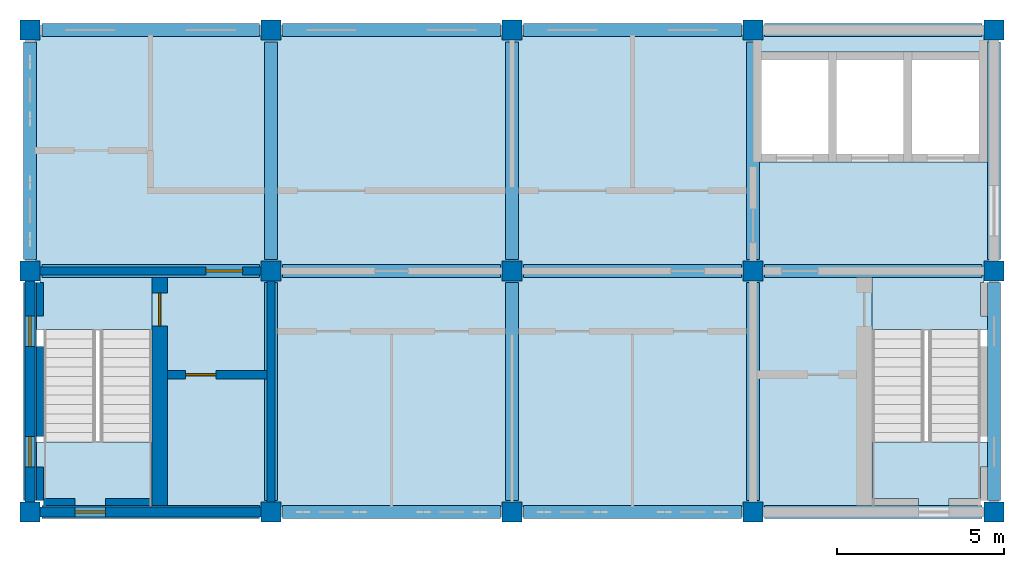
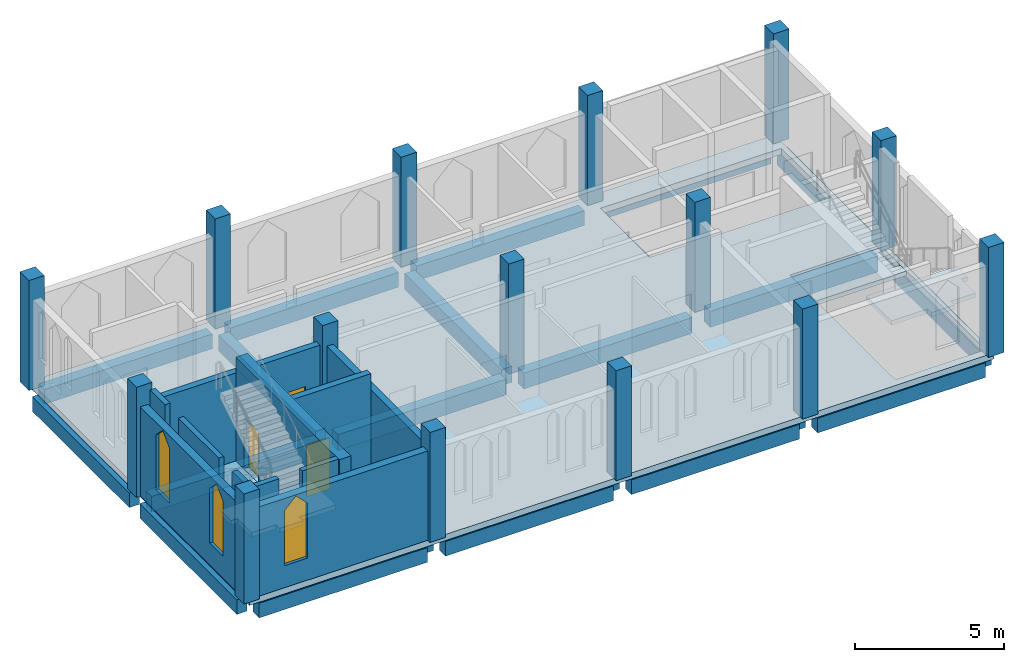
# One storey, part 1 of 5: 22 beams, 15 columns, 11 walls, 5 slabs, 3 doors, 3 windows, 6 openings, 2 elements without a shape of their own.
"""IFC4 building model written with IfcOpenShell, lengths in metres."""

from ifc_helpers import new_model, si_unit, direction, frame, frame_2d, origin, origin_2d, place, context, subcontext, project, spatial, polyline, rectangle, outline, extrude, material, layer, layer_set, material_profile, profile_set, type_object, element, fill, aggregate, save


model = new_model("IFC4")

# Units and contexts
model_context = context("Model", 3, precision=1e-05, world=origin(), true_north=direction((0.0, 1.0)))
body_context = subcontext(model_context, "Body", "Model", "MODEL_VIEW")
ifc_project = project(units=[si_unit("LENGTHUNIT", "METRE"), si_unit("AREAUNIT", "SQUARE_METRE"), si_unit("VOLUMEUNIT", "CUBIC_METRE"), si_unit("PLANEANGLEUNIT", "RADIAN"), si_unit("MASSUNIT", "GRAM", prefix="KILO")], contexts=[model_context])

# Site, building, storey
site_placement = place(None, origin())
site = spatial("IfcSite", under=ifc_project, at=site_placement, CompositionType="ELEMENT")
building_placement = place(site_placement, origin())
building = spatial("IfcBuilding", under=site, at=building_placement, Name="Silangan Lancet Faculty of Sciences", CompositionType="ELEMENT")
storey_placement = place(building_placement, frame((0.0, 0.0, 72.300048828125)))
storey = spatial("IfcBuildingStorey", under=building, at=storey_placement, Name="L15", CompositionType="ELEMENT", Elevation=72.300048828125)

# Columns
ifc_material_1 = material(Name="Concrete C40/50", Category="concrete")
ifc_material_profile_1 = material_profile(ifc_material_1, rectangle(XDim=0.60009765625, YDim=0.60009765625, at=origin_2d()), Name="RC 600x600")
ifc_profile_set_1 = profile_set([ifc_material_profile_1], Name="Concrete C40/50")
column_type = type_object("IfcColumnType", Name="COLUMN RC 600x600", PredefinedType="COLUMN", material=ifc_profile_set_1)
for number, where, z_axis, x_axis, name in (
    (1, (0.0, 0.0, 0.0), (0.0, 0.0, 1.0), (1.0, 0.0, 0.0), "COL-L15-1A"),
    (2, (0.0, 7.199951171875, 0.0), (0.0, 0.0, 1.0), (1.0, 0.0, 0.0), "COL-L15-1B"),
    (3, (0.0, 14.39990234375, 0.0), (0.0, 0.0, 1.0), (1.0, 0.0, 0.0), "COL-L15-1C"),
    (4, (7.199951171875, 0.0, 0.0), (0.0, 0.0, 1.0), (1.0, 0.0, 0.0), "COL-L15-2A"),
    (5, (7.199951171875, 7.199951171875, 0.0), (0.0, 0.0, 1.0), (1.0, 0.0, 0.0), "COL-L15-2B"),
    (6, (7.199951171875, 14.39990234375, 0.0), (0.0, 0.0, 1.0), (1.0, 0.0, 0.0), "COL-L15-2C"),
    (7, (14.39990234375, 0.0, 0.0), (0.0, 0.0, 1.0), (1.0, 0.0, 0.0), "COL-L15-3A"),
    (8, (14.39990234375, 7.199951171875, 0.0), (0.0, 0.0, 1.0), (1.0, 0.0, 0.0), "COL-L15-3B"),
    (9, (14.39990234375, 14.39990234375, 0.0), (0.0, 0.0, 1.0), (1.0, 0.0, 0.0), "COL-L15-3C"),
    (10, (21.60009765625, 0.0, 0.0), (0.0, 0.0, 1.0), (1.0, 0.0, 0.0), "COL-L15-4A"),
    (11, (21.60009765625, 7.199951171875, 0.0), (0.0, 0.0, 1.0), (1.0, 0.0, 0.0), "COL-L15-4B"),
    (12, (21.60009765625, 14.39990234375, 0.0), (0.0, 0.0, 1.0), (1.0, 0.0, 0.0), "COL-L15-4C"),
    (13, (28.800048828125, 0.0, 0.0), (0.0, 0.0, 1.0), (1.0, 0.0, 0.0), "COL-L15-5A"),
    (14, (28.800048828125, 7.199951171875, 0.0), (0.0, 0.0, 1.0), (1.0, 0.0, 0.0), "COL-L15-5B"),
    (15, (28.800048828125, 14.39990234375, 0.0), (0.0, 0.0, 1.0), (1.0, 0.0, 0.0), "COL-L15-5C"),
):
    element("IfcColumn", number, at=place(storey_placement, frame(where, z_axis=z_axis, x_axis=x_axis)), inside=storey, type_object=column_type, Name=name, PredefinedType="COLUMN", context=body_context, shape_type="SweptSolid", body=[
        extrude(rectangle(XDim=0.60009765625, YDim=0.60009765625, at=origin_2d()), origin(), (0.0, 0.0, 1.0), 4.5),
    ])

# Beams
ifc_material_2 = material(Name="Concrete C40/50", Category="concrete")
ifc_material_profile_2 = material_profile(ifc_material_2, rectangle(XDim=0.39990234375, YDim=0.60009765625, at=origin_2d()), Name="RC 400x600")
ifc_profile_set_2 = profile_set([ifc_material_profile_2], Name="Concrete C40/50")
beam_type_1 = type_object("IfcBeamType", Name="BEAM RC 400x600", PredefinedType="BEAM", material=ifc_profile_set_2)
for number, where, z_axis, x_axis, name in (
    (16, (0.35009765625, 0.0, -0.550048828125), (1.0, 0.0, 0.0), (0.0, 1.0, 0.0), "BM-L15-1A-2A"),
    (17, (7.550048828125, 0.0, -0.550048828125), (1.0, 0.0, 0.0), (0.0, 1.0, 0.0), "BM-L15-2A-3A"),
    (18, (14.75, 0.0, -0.550048828125), (1.0, 0.0, 0.0), (0.0, 1.0, 0.0), "BM-L15-3A-4A"),
    (19, (21.949951171875, 0.0, -0.550048828125), (1.0, 0.0, 0.0), (0.0, 1.0, 0.0), "BM-L15-4A-5A"),
    (20, (0.35009765625, 14.39990234375, -0.550048828125), (1.0, 0.0, 0.0), (0.0, 1.0, 0.0), "BM-L15-1C-2C"),
    (21, (7.550048828125, 14.39990234375, -0.550048828125), (1.0, 0.0, 0.0), (0.0, 1.0, 0.0), "BM-L15-2C-3C"),
    (22, (14.75, 14.39990234375, -0.550048828125), (1.0, 0.0, 0.0), (0.0, 1.0, 0.0), "BM-L15-3C-4C"),
    (23, (21.949951171875, 14.39990234375, -0.550048828125), (1.0, 0.0, 0.0), (0.0, 1.0, 0.0), "BM-L15-4C-5C"),
    (24, (0.0, 0.35009765625, -0.550048828125), (0.0, 1.0, 0.0), (-1.0, 0.0, 0.0), "BM-L15-1A-1B"),
    (25, (0.0, 7.550048828125, -0.550048828125), (0.0, 1.0, 0.0), (-1.0, 0.0, 0.0), "BM-L15-1B-1C"),
    (26, (28.800048828125, 0.35009765625, -0.550048828125), (0.0, 1.0, 0.0), (-1.0, 0.0, 0.0), "BM-L15-5A-5B"),
    (27, (28.800048828125, 7.550048828125, -0.550048828125), (0.0, 1.0, 0.0), (-1.0, 0.0, 0.0), "BM-L15-5B-5C"),
):
    element("IfcBeam", number, at=place(storey_placement, frame(where, z_axis=z_axis, x_axis=x_axis)), inside=storey, type_object=beam_type_1, Name=name, PredefinedType="BEAM", context=body_context, shape_type="SweptSolid", body=[
        extrude(rectangle(XDim=0.39990234375, YDim=0.60009765625, at=origin_2d()), origin(), (0.0, 0.0, 1.0), 6.5),
    ])
ifc_material_3 = material(Name="Concrete C40/50", Category="concrete")
ifc_material_profile_3 = material_profile(ifc_material_3, rectangle(XDim=0.39990234375, YDim=0.64990234375, at=origin_2d()), Name="RC 400x650")
ifc_profile_set_3 = profile_set([ifc_material_profile_3], Name="Concrete C40/50")
beam_type_2 = type_object("IfcBeamType", Name="BEAM RC 400x650", PredefinedType="BEAM", material=ifc_profile_set_3)
for number, where, z_axis, x_axis, name in (
    (28, (0.35009765625, 7.199951171875, -0.574951171875), (1.0, 0.0, 0.0), (0.0, 1.0, 0.0), "BM-L15-1B-2B"),
    (29, (7.550048828125, 7.199951171875, -0.574951171875), (1.0, 0.0, 0.0), (0.0, 1.0, 0.0), "BM-L15-2B-3B"),
    (30, (14.75, 7.199951171875, -0.574951171875), (1.0, 0.0, 0.0), (0.0, 1.0, 0.0), "BM-L15-3B-4B"),
    (31, (21.949951171875, 7.199951171875, -0.574951171875), (1.0, 0.0, 0.0), (0.0, 1.0, 0.0), "BM-L15-4B-5B"),
    (32, (7.199951171875, 0.35009765625, -0.574951171875), (0.0, 1.0, 0.0), (-1.0, 0.0, 0.0), "BM-L15-2A-2B"),
    (33, (7.199951171875, 7.550048828125, -0.574951171875), (0.0, 1.0, 0.0), (-1.0, 0.0, 0.0), "BM-L15-2B-2C"),
    (34, (14.39990234375, 0.35009765625, -0.574951171875), (0.0, 1.0, 0.0), (-1.0, 0.0, 0.0), "BM-L15-3A-3B"),
    (35, (14.39990234375, 7.550048828125, -0.574951171875), (0.0, 1.0, 0.0), (-1.0, 0.0, 0.0), "BM-L15-3B-3C"),
    (36, (21.60009765625, 0.35009765625, -0.574951171875), (0.0, 1.0, 0.0), (-1.0, 0.0, 0.0), "BM-L15-4A-4B"),
    (37, (21.60009765625, 7.550048828125, -0.574951171875), (0.0, 1.0, 0.0), (-1.0, 0.0, 0.0), "BM-L15-4B-4C"),
):
    element("IfcBeam", number, at=place(storey_placement, frame(where, z_axis=z_axis, x_axis=x_axis)), inside=storey, type_object=beam_type_2, Name=name, PredefinedType="BEAM", context=body_context, shape_type="SweptSolid", body=[
        extrude(rectangle(XDim=0.39990234375, YDim=0.64990234375, at=origin_2d()), origin(), (0.0, 0.0, 1.0), 6.5),
    ])

# Slab
ifc_material_4 = material(Name="Concrete C35/45", Category="concrete")
ifc_layer_1 = layer(ifc_material_4, 0.25)
ifc_layer_set_1 = layer_set([ifc_layer_1], Name="Concrete C35/45")
slab_type_1 = type_object("IfcSlabType", Name="SLAB FLOOR 250", PredefinedType="FLOOR", material=ifc_layer_set_1)
slab_1_placement = place(storey_placement, frame((0.0, 0.0, -0.25)))
element("IfcSlab", 38, at=slab_1_placement, inside=storey, type_object=slab_type_1, Name="SLAB-L15-ST", PredefinedType="FLOOR", context=body_context, shape_type="SweptSolid", body=[
    extrude(outline(polyline([(0.0, 14.550048828125), (0.0, -0.14990234375), (28.800048828125, -0.14990234375), (28.800048828125, 14.550048828125), (0.0, 14.550048828125)]), holes=[polyline([(0.14990234375, 0.14990234375), (0.14990234375, 7.199951171875), (3.64990234375, 7.199951171875), (3.64990234375, 0.14990234375), (0.14990234375, 0.14990234375)]), polyline([(25.14990234375, 7.199951171875), (28.64990234375, 7.199951171875), (28.64990234375, 0.14990234375), (25.14990234375, 0.14990234375), (25.14990234375, 7.199951171875)]), polyline([(21.60009765625, 13.75), (28.60009765625, 13.75), (28.60009765625, 10.449951171875), (21.60009765625, 10.449951171875), (21.60009765625, 13.75)])]), origin(), (0.0, 0.0, 1.0), 0.25),
])

# Stair, slabs
ifc_material_5 = material(Name="Concrete C40/50", Category="concrete")
stair_type = type_object("IfcStairType", Name="TURRET STAIR 1550 TWO-FLIGHT", PredefinedType="HALF_TURN_STAIR", material=ifc_material_5)
stair_1_placement = place(storey_placement, origin())
stair_1 = element("IfcStair", 39, at=stair_1_placement, inside=storey, type_object=stair_type, Name="ST-A stair L15", PredefinedType="HALF_TURN_STAIR")
ifc_material_6 = material(Name="Concrete C40/50", Category="concrete")
ifc_layer_2 = layer(ifc_material_6, 0.179931640625)
ifc_layer_set_2 = layer_set([ifc_layer_2], Name="Concrete C40/50")
slab_type_2 = type_object("IfcSlabType", Name="TURRET STAIR LANDING RC 180", PredefinedType="LANDING", material=ifc_layer_set_2)
slab_2_placement = place(storey_placement, frame((0.0, 0.0, -0.179931640625)))
slab_2 = element("IfcSlab", 40, at=slab_2_placement, type_object=slab_type_2, Name="STR1 landing 1", PredefinedType="LANDING", context=body_context, shape_type="SweptSolid", body=[
    extrude(outline(polyline([(0.300048828125, 6.85009765625), (0.300048828125, 7.074951171875), (3.64990234375, 7.074951171875), (3.64990234375, 5.449951171875), (0.14990234375, 5.449951171875), (0.14990234375, 5.85009765625), (0.39990234375, 5.85009765625), (0.39990234375, 6.85009765625), (0.300048828125, 6.85009765625)])), origin(), (0.0, 0.0, 1.0), 0.179931640625),
])
slab_3_placement = place(storey_placement, frame((0.0, 0.0, 2.070068359375)))
slab_3 = element("IfcSlab", 41, at=slab_3_placement, type_object=slab_type_2, Name="STR1 landing 2", PredefinedType="LANDING", context=body_context, shape_type="SweptSolid", body=[
    extrude(outline(polyline([(1.35009765625, 0.14990234375), (1.35009765625, 0.39990234375), (0.39990234375, 0.39990234375), (0.39990234375, 1.35009765625), (0.14990234375, 1.35009765625), (0.14990234375, 2.090087890625), (3.64990234375, 2.090087890625), (3.64990234375, 0.39990234375), (2.25, 0.39990234375), (2.25, 0.14990234375), (1.35009765625, 0.14990234375)])), origin(), (0.0, 0.0, 1.0), 0.179931640625),
])
aggregate(stair_1, [slab_2, slab_3])

stair_2_placement = place(storey_placement, origin())
stair_2 = element("IfcStair", 42, at=stair_2_placement, inside=storey, type_object=stair_type, Name="ST-B stair L15", PredefinedType="HALF_TURN_STAIR")
slab_4_placement = place(storey_placement, frame((0.0, 0.0, -0.179931640625)))
slab_4 = element("IfcSlab", 43, at=slab_4_placement, type_object=slab_type_2, Name="STR2 landing 1", PredefinedType="LANDING", context=body_context, shape_type="SweptSolid", body=[
    extrude(outline(polyline([(28.5, 6.85009765625), (28.39990234375, 6.85009765625), (28.39990234375, 5.85009765625), (28.64990234375, 5.85009765625), (28.64990234375, 5.449951171875), (25.14990234375, 5.449951171875), (25.14990234375, 7.074951171875), (28.5, 7.074951171875), (28.5, 6.85009765625)])), origin(), (0.0, 0.0, 1.0), 0.179931640625),
])
slab_5_placement = place(storey_placement, frame((0.0, 0.0, 2.070068359375)))
slab_5 = element("IfcSlab", 44, at=slab_5_placement, type_object=slab_type_2, Name="STR2 landing 2", PredefinedType="LANDING", context=body_context, shape_type="SweptSolid", body=[
    extrude(outline(polyline([(26.550048828125, 0.14990234375), (26.550048828125, 0.39990234375), (25.14990234375, 0.39990234375), (25.14990234375, 2.090087890625), (28.64990234375, 2.090087890625), (28.64990234375, 1.35009765625), (28.39990234375, 1.35009765625), (28.39990234375, 0.39990234375), (27.449951171875, 0.39990234375), (27.449951171875, 0.14990234375), (26.550048828125, 0.14990234375)])), origin(), (0.0, 0.0, 1.0), 0.179931640625),
])
aggregate(stair_2, [slab_4, slab_5])

# Wall, openings, windows
ifc_material_7 = material(Name="Concrete C40/50 precast", Category="concrete")
ifc_layer_3 = layer(ifc_material_7, 0.300048828125)
ifc_layer_set_3 = layer_set([ifc_layer_3], Name="Concrete C40/50 precast")
wall_type_1 = type_object("IfcWallType", Name="EW2 Turret enclosure wall", PredefinedType="STANDARD", material=ifc_layer_set_3)
wall_1_placement = place(storey_placement, frame((0.0, 0.300048828125, 0.0), z_axis=(0.0, 0.0, 1.0), x_axis=(0.0, 1.0, 0.0)))
wall_1 = element("IfcWall", 45, at=wall_1_placement, inside=storey, type_object=wall_type_1, Name="EW-L15-W-ST-U-00", PredefinedType="STANDARD", context=body_context, shape_type="SweptSolid", body=[
    extrude(rectangle(XDim=6.599853515625, YDim=0.300048828125, at=frame_2d((3.2998046875, 0.0))), origin(), (0.0, 0.0, 1.0), 3.64990234375),
])
opening_1_placement = place(wall_1_placement, frame((1.050048828125, 0.0, 0.89990234375)))
opening_1 = element("IfcOpeningElement", 46, at=opening_1_placement, cuts=wall_1, Name="Opening W22", PredefinedType="OPENING", context=body_context, shape_type="SweptSolid", body=[
    extrude(outline(polyline([(0.0, 0.0), (0.89990234375, 0.0), (0.89990234375, 2.25), (0.449951171875, 2.699951171875), (0.0, 2.25), (0.0, 0.0)])), frame((0.0, 0.159912109375, 0.0), z_axis=(0.0, -1.0, 0.0), x_axis=(1.0, 0.0, 0.0)), (0.0, 0.0, 1.0), 0.320068359375),
])
opening_2_placement = place(wall_1_placement, frame((4.64990234375, 0.0, 0.89990234375)))
opening_2 = element("IfcOpeningElement", 47, at=opening_2_placement, cuts=wall_1, Name="Opening W22", PredefinedType="OPENING", context=body_context, shape_type="SweptSolid", body=[
    extrude(outline(polyline([(0.0, 0.0), (0.89990234375, 0.0), (0.89990234375, 2.25), (0.449951171875, 2.699951171875), (0.0, 2.25), (0.0, 0.0)])), frame((0.0, 0.159912109375, 0.0), z_axis=(0.0, -1.0, 0.0), x_axis=(1.0, 0.0, 0.0)), (0.0, 0.0, 1.0), 0.320068359375),
])
ifc_material_8 = material(Name="Aluminium frame, laminated double glazing", Category="aluminium")
window_type = type_object("IfcWindowType", Name="W22 Lancet window 900 x 2700", PartitioningType="SINGLE_PANEL", PredefinedType="WINDOW", material=ifc_material_8)
window_1_placement = place(opening_1_placement, origin())
window_1 = element("IfcWindow", 48, at=window_1_placement, inside=storey, type_object=window_type, Name="WIN-L15-W-ST-U-00a", OverallHeight=2.699951171875, OverallWidth=0.89990234375, PartitioningType="SINGLE_PANEL", PredefinedType="WINDOW", context=body_context, shape_type="SweptSolid", body=[
    extrude(outline(polyline([(0.0, 0.0), (0.89990234375, 0.0), (0.89990234375, 2.25), (0.449951171875, 2.699951171875), (0.0, 2.25), (0.0, 0.0)])), frame((0.0, 0.030029296875, 0.0), z_axis=(0.0, -1.0, 0.0), x_axis=(1.0, 0.0, 0.0)), (0.0, 0.0, 1.0), 0.06005859375),
])
fill(opening_1, window_1)
window_2_placement = place(opening_2_placement, origin())
window_2 = element("IfcWindow", 49, at=window_2_placement, inside=storey, type_object=window_type, Name="WIN-L15-W-ST-U-00b", OverallHeight=2.699951171875, OverallWidth=0.89990234375, PartitioningType="SINGLE_PANEL", PredefinedType="WINDOW", context=body_context, shape_type="SweptSolid", body=[
    extrude(outline(polyline([(0.0, 0.0), (0.89990234375, 0.0), (0.89990234375, 2.25), (0.449951171875, 2.699951171875), (0.0, 2.25), (0.0, 0.0)])), frame((0.0, 0.030029296875, 0.0), z_axis=(0.0, -1.0, 0.0), x_axis=(1.0, 0.0, 0.0)), (0.0, 0.0, 1.0), 0.06005859375),
])
fill(opening_2, window_2)

# Wall, opening, window
wall_2_placement = place(storey_placement, frame((0.300048828125, 0.0, 0.0), z_axis=(0.0, 0.0, 1.0), x_axis=(1.0, 0.0, 0.0)))
wall_2 = element("IfcWall", 50, at=wall_2_placement, inside=storey, type_object=wall_type_1, Name="EW-L15-S-ST-00", PredefinedType="STANDARD", context=body_context, shape_type="SweptSolid", body=[
    extrude(rectangle(XDim=6.599853515625, YDim=0.300048828125, at=frame_2d((3.2998046875, 0.0))), origin(), (0.0, 0.0, 1.0), 3.64990234375),
])
opening_3_placement = place(wall_2_placement, frame((1.050048828125, 0.0, 0.89990234375)))
opening_3 = element("IfcOpeningElement", 51, at=opening_3_placement, cuts=wall_2, Name="Opening W22", PredefinedType="OPENING", context=body_context, shape_type="SweptSolid", body=[
    extrude(outline(polyline([(0.0, 0.0), (0.89990234375, 0.0), (0.89990234375, 2.25), (0.449951171875, 2.699951171875), (0.0, 2.25), (0.0, 0.0)])), frame((0.0, 0.159912109375, 0.0), z_axis=(0.0, -1.0, 0.0), x_axis=(1.0, 0.0, 0.0)), (0.0, 0.0, 1.0), 0.320068359375),
])
window_3_placement = place(opening_3_placement, origin())
window_3 = element("IfcWindow", 52, at=window_3_placement, inside=storey, type_object=window_type, Name="WIN-L15-S-ST-00a", OverallHeight=2.699951171875, OverallWidth=0.89990234375, PartitioningType="SINGLE_PANEL", PredefinedType="WINDOW", context=body_context, shape_type="SweptSolid", body=[
    extrude(outline(polyline([(0.0, 0.0), (0.89990234375, 0.0), (0.89990234375, 2.25), (0.449951171875, 2.699951171875), (0.0, 2.25), (0.0, 0.0)])), frame((0.0, 0.030029296875, 0.0), z_axis=(0.0, -1.0, 0.0), x_axis=(1.0, 0.0, 0.0)), (0.0, 0.0, 1.0), 0.06005859375),
])
fill(opening_3, window_3)

# Wall, opening, door
ifc_material_9 = material(Name="Concrete C40/50", Category="concrete")
ifc_layer_4 = layer(ifc_material_9, 0.449951171875)
ifc_layer_set_4 = layer_set([ifc_layer_4], Name="Concrete C40/50")
wall_type_2 = type_object("IfcWallType", Name="TURRET CORE WALL RC 450", PredefinedType="SHEAR", material=ifc_layer_set_4)
wall_3_placement = place(storey_placement, frame((3.875, 0.14990234375, 0.0), z_axis=(0.0, 0.0, 1.0), x_axis=(0.0, 1.0, 0.0)))
wall_3 = element("IfcWall", 53, at=wall_3_placement, inside=storey, type_object=wall_type_2, Name="WALL-L15-ST-A-WELL", PredefinedType="SHEAR", context=body_context, shape_type="SweptSolid", body=[
    extrude(rectangle(XDim=6.925048828125, YDim=0.449951171875, at=frame_2d((3.46240234375, 0.0))), origin(), (0.0, 0.0, 1.0), 4.25),
])
opening_4_placement = place(wall_3_placement, frame((5.39990234375, 0.0, 0.0)))
opening_4 = element("IfcOpeningElement", 54, at=opening_4_placement, cuts=wall_3, Name="Opening L15-701", PredefinedType="OPENING", context=body_context, shape_type="SweptSolid", body=[
    extrude(rectangle(XDim=1.0, YDim=2.10009765625, at=frame_2d((0.5, 1.050048828125))), frame((0.0, 0.23486328125, 0.0), z_axis=(0.0, -1.0, 0.0), x_axis=(1.0, 0.0, 0.0)), (0.0, 0.0, 1.0), 0.469970703125),
])
ifc_material_10 = material(Name="Steel fire door set", Category="steel")
door_type_1 = type_object("IfcDoorType", Name="D71 Stair enclosure door 1000x2100", OperationType="SINGLE_SWING_LEFT", PredefinedType="DOOR", material=ifc_material_10)
door_1_placement = place(opening_4_placement, origin())
door_1 = element("IfcDoor", 55, at=door_1_placement, inside=storey, type_object=door_type_1, Name="Stair enclosure door ST-A L15", OperationType="SINGLE_SWING_RIGHT", OverallHeight=2.10009765625, OverallWidth=1.0, PredefinedType="DOOR", context=body_context, shape_type="SweptSolid", body=[
    extrude(rectangle(XDim=1.0, YDim=2.10009765625, at=frame_2d((0.5, 1.050048828125))), frame((0.0, 0.02490234375, 0.0), z_axis=(0.0, -1.0, 0.0), x_axis=(1.0, 0.0, 0.0)), (0.0, 0.0, 1.0), 0.050048828125),
])
fill(opening_4, door_1)

# Walls
ifc_material_11 = material(Name="Concrete C40/50", Category="concrete")
ifc_layer_5 = layer(ifc_material_11, 0.199951171875)
ifc_layer_set_5 = layer_set([ifc_layer_5], Name="Concrete C40/50")
wall_type_3 = type_object("IfcWallType", Name="TURRET LINING WALL RC 200", PredefinedType="SHEAR", material=ifc_layer_set_5)
wall_4_placement = place(storey_placement, frame((0.300048828125, 0.35009765625, -0.25), z_axis=(0.0, 0.0, 1.0), x_axis=(0.0, 1.0, 0.0)))
element("IfcWall", 56, at=wall_4_placement, inside=storey, type_object=wall_type_3, Name="WALL-L15-ST-A-WL", PredefinedType="SHEAR", context=body_context, shape_type="SweptSolid", body=[
    extrude(rectangle(XDim=1.0, YDim=0.199951171875, at=frame_2d((0.5, 0.0))), origin(), (0.0, 0.0, 1.0), 4.5),
])
wall_5_placement = place(storey_placement, frame((0.300048828125, 2.25, -0.25), z_axis=(0.0, 0.0, 1.0), x_axis=(0.0, 1.0, 0.0)))
element("IfcWall", 57, at=wall_5_placement, inside=storey, type_object=wall_type_3, Name="WALL-L15-ST-A-WL-2", PredefinedType="SHEAR", context=body_context, shape_type="SweptSolid", body=[
    extrude(rectangle(XDim=2.699951171875, YDim=0.199951171875, at=frame_2d((1.35009765625, 0.0))), origin(), (0.0, 0.0, 1.0), 4.5),
])
wall_6_placement = place(storey_placement, frame((0.300048828125, 5.85009765625, -0.25), z_axis=(0.0, 0.0, 1.0), x_axis=(0.0, 1.0, 0.0)))
element("IfcWall", 58, at=wall_6_placement, inside=storey, type_object=wall_type_3, Name="WALL-L15-ST-A-WL-3", PredefinedType="SHEAR", context=body_context, shape_type="SweptSolid", body=[
    extrude(rectangle(XDim=1.0, YDim=0.199951171875, at=frame_2d((0.5, 0.0))), origin(), (0.0, 0.0, 1.0), 4.5),
])
wall_7_placement = place(storey_placement, frame((0.39990234375, 0.300048828125, -0.25), z_axis=(0.0, 0.0, 1.0), x_axis=(1.0, 0.0, 0.0)))
element("IfcWall", 59, at=wall_7_placement, inside=storey, type_object=wall_type_3, Name="WALL-L15-ST-A-WLD", PredefinedType="SHEAR", context=body_context, shape_type="SweptSolid", body=[
    extrude(rectangle(XDim=0.9501953125, YDim=0.199951171875, at=frame_2d((0.47509765625, 0.0))), origin(), (0.0, 0.0, 1.0), 4.5),
])
wall_8_placement = place(storey_placement, frame((2.25, 0.300048828125, -0.25), z_axis=(0.0, 0.0, 1.0), x_axis=(1.0, 0.0, 0.0)))
element("IfcWall", 60, at=wall_8_placement, inside=storey, type_object=wall_type_3, Name="WALL-L15-ST-A-WLD-2", PredefinedType="SHEAR", context=body_context, shape_type="SweptSolid", body=[
    extrude(rectangle(XDim=1.39990234375, YDim=0.199951171875, at=frame_2d((0.699951171875, 0.0))), origin(), (0.0, 0.0, 1.0), 4.5),
])

# Wall, opening, door
ifc_material_12 = material(Name="Concrete C40/50", Category="concrete")
ifc_layer_6 = layer(ifc_material_12, 0.25)
ifc_layer_set_6 = layer_set([ifc_layer_6], Name="Concrete C40/50")
wall_type_4 = type_object("IfcWallType", Name="TURRET WALL RC 250", PredefinedType="SHEAR", material=ifc_layer_set_6)
wall_9_placement = place(storey_placement, frame((0.300048828125, 7.199951171875, 0.0), z_axis=(0.0, 0.0, 1.0), x_axis=(1.0, 0.0, 0.0)))
wall_9 = element("IfcWall", 61, at=wall_9_placement, inside=storey, type_object=wall_type_4, Name="WALL-L15-ST-A-V", PredefinedType="SHEAR", context=body_context, shape_type="SweptSolid", body=[
    extrude(rectangle(XDim=6.599853515625, YDim=0.25, at=frame_2d((3.2998046875, 0.0))), origin(), (0.0, 0.0, 1.0), 3.599853515625),
])
opening_5_placement = place(wall_9_placement, frame((4.949951171875, 0.0, 0.0)))
opening_5 = element("IfcOpeningElement", 62, at=opening_5_placement, cuts=wall_9, Name="Opening L15-702", PredefinedType="OPENING", context=body_context, shape_type="SweptSolid", body=[
    extrude(rectangle(XDim=1.10009765625, YDim=2.10009765625, at=frame_2d((0.550048828125, 1.050048828125))), frame((0.0, 0.135009765625, 0.0), z_axis=(0.0, -1.0, 0.0), x_axis=(1.0, 0.0, 0.0)), (0.0, 0.0, 1.0), 0.27001953125),
])
ifc_material_13 = material(Name="Steel fire door set", Category="steel")
door_type_2 = type_object("IfcDoorType", Name="D70 Stair vestibule door 1100x2100", OperationType="SINGLE_SWING_LEFT", PredefinedType="DOOR", material=ifc_material_13)
door_2_placement = place(opening_5_placement, frame((1.10009765625, 0.0, 0.0), z_axis=(0.0, 0.0, 1.0), x_axis=(-1.0, 0.0, 0.0)))
door_2 = element("IfcDoor", 63, at=door_2_placement, inside=storey, type_object=door_type_2, Name="Stair vestibule door ST-A L15", OperationType="SINGLE_SWING_LEFT", OverallHeight=2.10009765625, OverallWidth=1.10009765625, PredefinedType="DOOR", context=body_context, shape_type="SweptSolid", body=[
    extrude(rectangle(XDim=1.10009765625, YDim=2.10009765625, at=frame_2d((0.550048828125, 1.050048828125))), frame((0.0, 0.025146484375, 0.0), z_axis=(0.0, -1.0, 0.0), x_axis=(1.0, 0.0, 0.0)), (0.0, 0.0, 1.0), 0.050048828125),
])
fill(opening_5, door_2)

# Wall
wall_10_placement = place(storey_placement, frame((7.199951171875, 0.300048828125, 0.0), z_axis=(0.0, 0.0, 1.0), x_axis=(0.0, 1.0, 0.0)))
element("IfcWall", 64, at=wall_10_placement, inside=storey, type_object=wall_type_4, Name="WALL-L15-ST-A-O", PredefinedType="SHEAR", context=body_context, shape_type="SweptSolid", body=[
    extrude(rectangle(XDim=6.599853515625, YDim=0.25, at=frame_2d((3.2998046875, 0.0))), origin(), (0.0, 0.0, 1.0), 3.599853515625),
])

# Wall, opening, door
wall_11_placement = place(storey_placement, frame((4.10009765625, 4.10009765625, 0.0), z_axis=(0.0, 0.0, 1.0), x_axis=(1.0, 0.0, 0.0)))
wall_11 = element("IfcWall", 65, at=wall_11_placement, inside=storey, type_object=wall_type_4, Name="WALL-L15-ST-A-RISER", PredefinedType="SHEAR", context=body_context, shape_type="SweptSolid", body=[
    extrude(rectangle(XDim=2.974853515625, YDim=0.25, at=frame_2d((1.4873046875, 0.0))), origin(), (0.0, 0.0, 1.0), 4.25),
])
opening_6_placement = place(wall_11_placement, frame((0.550048828125, 0.0, 0.0)))
opening_6 = element("IfcOpeningElement", 66, at=opening_6_placement, cuts=wall_11, Name="Opening L15-703", PredefinedType="OPENING", context=body_context, shape_type="SweptSolid", body=[
    extrude(rectangle(XDim=0.89990234375, YDim=2.10009765625, at=frame_2d((0.449951171875, 1.050048828125))), frame((0.0, 0.135009765625, 0.0), z_axis=(0.0, -1.0, 0.0), x_axis=(1.0, 0.0, 0.0)), (0.0, 0.0, 1.0), 0.27001953125),
])
ifc_material_14 = material(Name="Steel fire door set", Category="steel")
door_type_3 = type_object("IfcDoorType", Name="D72 Riser access door 900x2100", OperationType="SINGLE_SWING_LEFT", PredefinedType="DOOR", material=ifc_material_14)
door_3_placement = place(opening_6_placement, frame((0.89990234375, 0.0, 0.0), z_axis=(0.0, 0.0, 1.0), x_axis=(-1.0, 0.0, 0.0)))
door_3 = element("IfcDoor", 67, at=door_3_placement, inside=storey, type_object=door_type_3, Name="Riser access door ST-A L15", OperationType="SINGLE_SWING_LEFT", OverallHeight=2.10009765625, OverallWidth=0.89990234375, PredefinedType="DOOR", context=body_context, shape_type="SweptSolid", body=[
    extrude(rectangle(XDim=0.89990234375, YDim=2.10009765625, at=frame_2d((0.449951171875, 1.050048828125))), frame((0.0, 0.025146484375, 0.0), z_axis=(0.0, -1.0, 0.0), x_axis=(1.0, 0.0, 0.0)), (0.0, 0.0, 1.0), 0.050048828125),
])
fill(opening_6, door_3)

save(model, "model.ifc")
